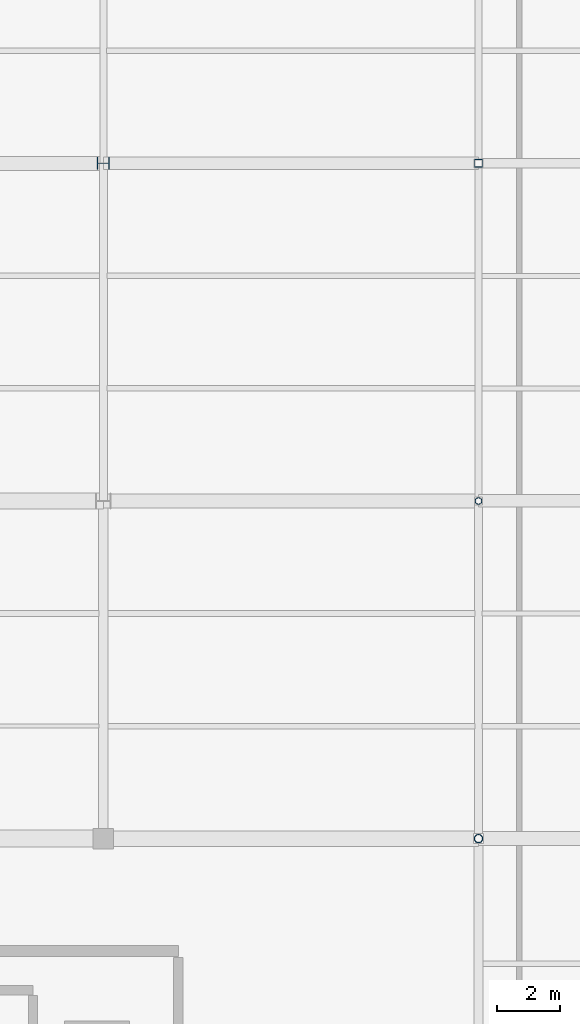
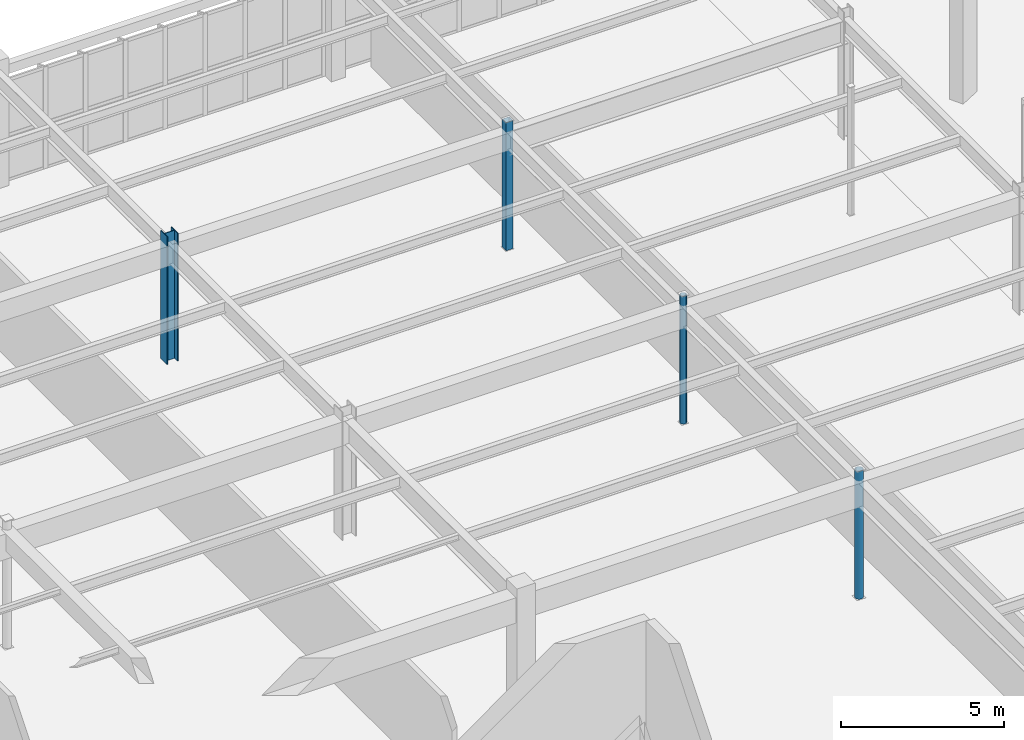
# One storey, part 27 of 199: 4 columns.
"""IFC4 building model written with IfcOpenShell, lengths in metres."""

from ifc_helpers import new_model, si_unit, direction, frame, origin, origin_2d, place, context, subcontext, project, spatial, hollow_rectangle, hollow_circle, i_section, extrude, material, material_profile, profile_set, type_object, element, save


model = new_model("IFC4")

# Units and contexts
model_context = context("Model", 3, precision=1e-05, world=origin(), true_north=direction((0.0, 1.0)))
body_context = subcontext(model_context, "Body", "Model", "MODEL_VIEW")
ifc_project = project(units=[si_unit("LENGTHUNIT", "METRE"), si_unit("AREAUNIT", "SQUARE_METRE"), si_unit("VOLUMEUNIT", "CUBIC_METRE"), si_unit("PLANEANGLEUNIT", "RADIAN"), si_unit("MASSUNIT", "GRAM", prefix="KILO")], contexts=[model_context])

# Site, building, storey
site_placement = place(None, origin())
site = spatial("IfcSite", under=ifc_project, at=site_placement, CompositionType="ELEMENT")
building_placement = place(site_placement, origin())
building = spatial("IfcBuilding", under=site, at=building_placement, Name="Tarnwether General Hospital", CompositionType="ELEMENT")
storey_placement = place(building_placement, origin())
storey = spatial("IfcBuildingStorey", under=building, at=storey_placement, Name="L00", CompositionType="ELEMENT", Elevation=0.0)

# Columns
ifc_material_1 = material(Name="Steel Grade 350 (350 MPa)", Category="steel")
ifc_material_profile_1 = material_profile(ifc_material_1, i_section(OverallWidth=0.39990234375, OverallDepth=0.39990234375, WebThickness=0.02001953125, FlangeThickness=0.028076171875, at=origin_2d()), Name="400WC270")
ifc_profile_set_1 = profile_set([ifc_material_profile_1], Name="Steel Grade 350 (350 MPa)")
column_type_1 = type_object("IfcColumnType", Name="COL-02", PredefinedType="COLUMN", material=ifc_profile_set_1)
column_1_placement = place(storey_placement, frame((36.0, 115.199951171875, 0.0), z_axis=(0.0, 0.0, 1.0), x_axis=(0.0, 1.0, 0.0)))
element("IfcColumn", 1, at=column_1_placement, inside=storey, type_object=column_type_1, Name="Column COLG-L00-3600_11520", PredefinedType="COLUMN", context=body_context, shape_type="SweptSolid", body=[
    extrude(i_section(OverallWidth=0.39990234375, OverallDepth=0.39990234375, WebThickness=0.02001953125, FlangeThickness=0.028076171875, at=origin_2d()), origin(), (0.0, 0.0, 1.0), 4.800048828125),
])
ifc_material_2 = material(Name="Steel Grade C350L0 (350 MPa)", Category="steel")
ifc_material_profile_2 = material_profile(ifc_material_2, hollow_circle(Radius=0.136474609375, WallThickness=0.0126953125, at=origin_2d()), Name="CHS273.1x12.7")
ifc_profile_set_2 = profile_set([ifc_material_profile_2], Name="Steel Grade C350L0 (350 MPa)")
column_type_2 = type_object("IfcColumnType", Name="COL-12", PredefinedType="COLUMN", material=ifc_profile_set_2)
column_2_placement = place(storey_placement, frame((48.0, 93.60009765625, 0.0), z_axis=(0.0, 0.0, 1.0), x_axis=(1.0, 0.0, 0.0)))
element("IfcColumn", 2, at=column_2_placement, inside=storey, type_object=column_type_2, Name="Column COLG-L00-4800_9360", PredefinedType="COLUMN", context=body_context, shape_type="SweptSolid", body=[
    extrude(hollow_circle(Radius=0.136474609375, WallThickness=0.0126953125, at=origin_2d()), origin(), (0.0, 0.0, 1.0), 4.800048828125),
])
ifc_material_3 = material(Name="Steel Grade C350L0 (350 MPa)", Category="steel")
ifc_material_profile_3 = material_profile(ifc_material_3, hollow_circle(Radius=0.109619140625, WallThickness=0.010009765625, at=origin_2d()), Name="CHS219.1x10.0")
ifc_profile_set_3 = profile_set([ifc_material_profile_3], Name="Steel Grade C350L0 (350 MPa)")
column_type_3 = type_object("IfcColumnType", Name="COL-13", PredefinedType="COLUMN", material=ifc_profile_set_3)
column_3_placement = place(storey_placement, frame((48.0, 104.39990234375, 0.0), z_axis=(0.0, 0.0, 1.0), x_axis=(1.0, 0.0, 0.0)))
element("IfcColumn", 3, at=column_3_placement, inside=storey, type_object=column_type_3, Name="Column COLG-L00-4800_10440", PredefinedType="COLUMN", context=body_context, shape_type="SweptSolid", body=[
    extrude(hollow_circle(Radius=0.109619140625, WallThickness=0.010009765625, at=origin_2d()), origin(), (0.0, 0.0, 1.0), 4.800048828125),
])
ifc_material_4 = material(Name="Steel Grade C350L0 (350 MPa)", Category="steel")
ifc_material_profile_4 = material_profile(ifc_material_4, hollow_rectangle(XDim=0.25, YDim=0.25, WallThickness=0.012451171875, at=origin_2d()), Name="SHS250x250x12.5")
ifc_profile_set_4 = profile_set([ifc_material_profile_4], Name="Steel Grade C350L0 (350 MPa)")
column_type_4 = type_object("IfcColumnType", Name="COL-14", PredefinedType="COLUMN", material=ifc_profile_set_4)
column_4_placement = place(storey_placement, frame((48.0, 115.199951171875, 0.0), z_axis=(0.0, 0.0, 1.0), x_axis=(1.0, 0.0, 0.0)))
element("IfcColumn", 4, at=column_4_placement, inside=storey, type_object=column_type_4, Name="Column COLG-L00-4800_11520", PredefinedType="COLUMN", context=body_context, shape_type="SweptSolid", body=[
    extrude(hollow_rectangle(XDim=0.25, YDim=0.25, WallThickness=0.012451171875, at=origin_2d()), origin(), (0.0, 0.0, 1.0), 4.800048828125),
])

save(model, "model.ifc")
